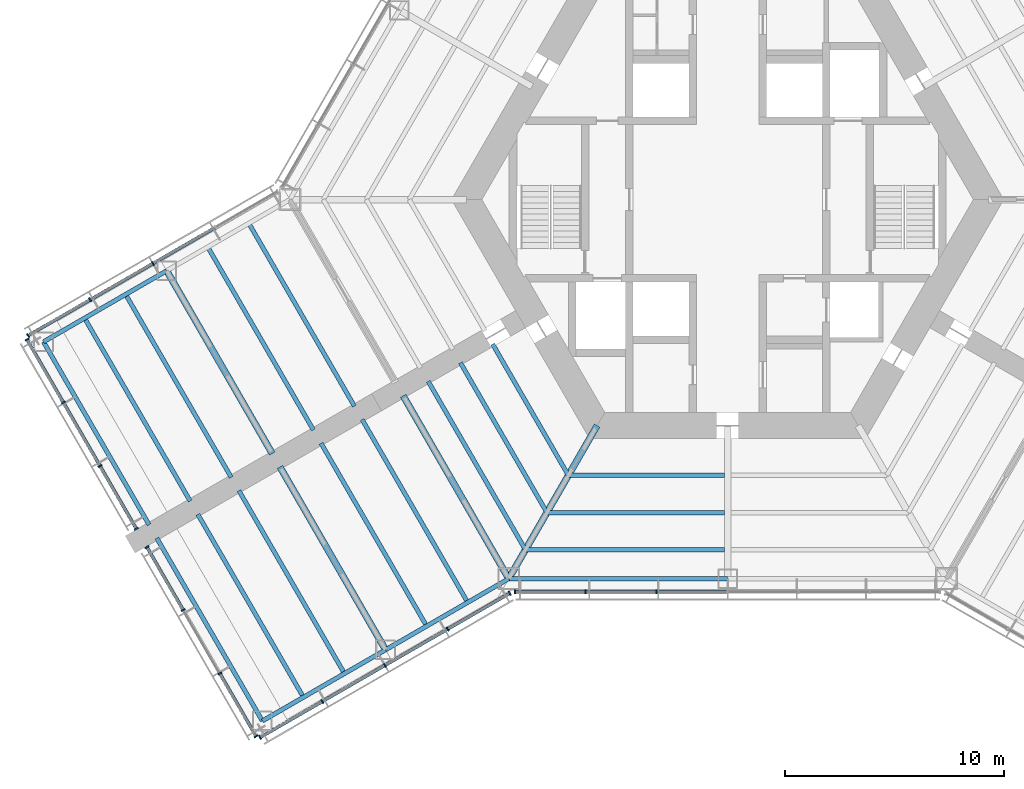
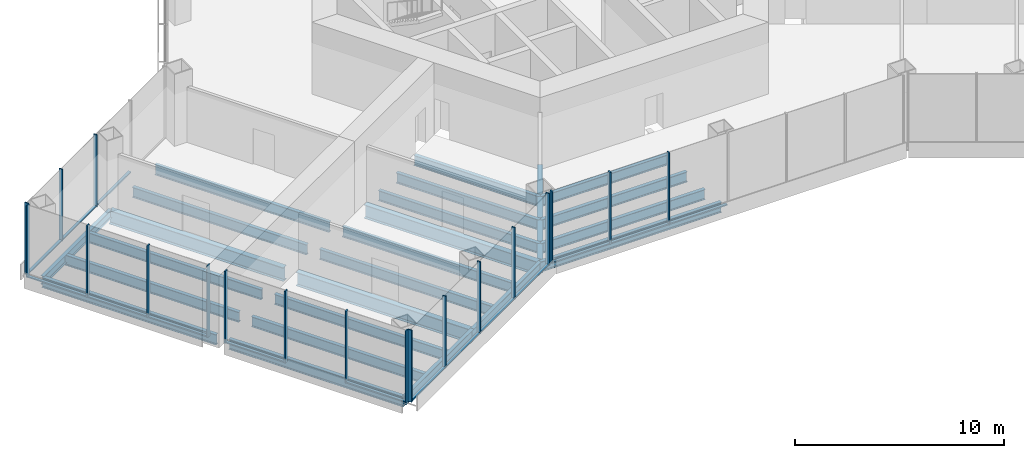
# One storey, part 2 of 15: 34 members, 24 beams, 5 elements without a shape of their own.
"""IFC4 building model written with IfcOpenShell, lengths in metres."""

from ifc_helpers import new_model, si_unit, direction, frame, origin, origin_2d, place, context, subcontext, project, spatial, rectangle, i_section, extrude, material, material_profile, profile_set, type_object, element, aggregate, save


model = new_model("IFC4")

# Units and contexts
model_context = context("Model", 3, precision=1e-05, world=origin(), true_north=direction((0.0, 1.0)))
body_context = subcontext(model_context, "Body", "Model", "MODEL_VIEW")
ifc_project = project(units=[si_unit("LENGTHUNIT", "METRE"), si_unit("AREAUNIT", "SQUARE_METRE"), si_unit("VOLUMEUNIT", "CUBIC_METRE"), si_unit("PLANEANGLEUNIT", "RADIAN"), si_unit("MASSUNIT", "GRAM", prefix="KILO")], contexts=[model_context])

# Site, building, storey
site_placement = place(None, origin())
site = spatial("IfcSite", under=ifc_project, at=site_placement, CompositionType="ELEMENT")
building_placement = place(site_placement, origin())
building = spatial("IfcBuilding", under=site, at=building_placement, Name="Kasaneha Research Tower", CompositionType="ELEMENT")
storey_placement = place(building_placement, frame((0.0, 0.0, 31.0)))
storey = spatial("IfcBuildingStorey", under=building, at=storey_placement, Name="L08", CompositionType="ELEMENT", Elevation=31.0)

# Beams
ifc_material_1 = material(Name="Steel SN490B", Category="steel")
ifc_material_profile_1 = material_profile(ifc_material_1, i_section(OverallWidth=0.199951171875, OverallDepth=0.60009765625, WebThickness=0.010986328125, FlangeThickness=0.01708984375, FilletRadius=0.012939453125, at=origin_2d()), Name="H-600x200x11x17")
ifc_profile_set_1 = profile_set([ifc_material_profile_1], Name="Steel SN490B")
beam_type_1 = type_object("IfcBeamType", Name="B1-2 secondary beam H-600x200x11x17", PredefinedType="JOIST", material=ifc_profile_set_1)
beam_1_placement = place(storey_placement, frame((-7.274658203125, -12.60009765625, -0.469970703125), z_axis=(-0.499972710878, 0.866041158593, 0.0), x_axis=(-0.866041158593, -0.499972710878, 0.0)))
element("IfcBeam", 1, at=beam_1_placement, inside=storey, type_object=beam_type_1, Name="Secondary beam RS210R1 L08", PredefinedType="JOIST", context=body_context, shape_type="SweptSolid", body=[
    extrude(i_section(OverallWidth=0.199951171875, OverallDepth=0.60009765625, WebThickness=0.010986328125, FlangeThickness=0.01708984375, FilletRadius=0.012939453125, at=origin_2d()), origin(), (0.0, 0.0, 1.0), 6.9248046875),
])
beam_2_placement = place(storey_placement, frame((-8.256103515625, -14.300048828125, -0.469970703125), z_axis=(-0.500004902938, 0.866022573054, 0.0), x_axis=(-0.866022573054, -0.500004902938, 0.0)))
element("IfcBeam", 2, at=beam_2_placement, inside=storey, type_object=beam_type_1, Name="Secondary beam RS210R2 L08", PredefinedType="JOIST", context=body_context, shape_type="SweptSolid", body=[
    extrude(i_section(OverallWidth=0.199951171875, OverallDepth=0.60009765625, WebThickness=0.010986328125, FlangeThickness=0.01708984375, FilletRadius=0.012939453125, at=origin_2d()), origin(), (0.0, 0.0, 1.0), 7.90625),
])
beam_3_placement = place(storey_placement, frame((-9.237548828125, -16.0, -0.469970703125), z_axis=(-0.500009382636, 0.866019986649, 0.0), x_axis=(-0.866019986649, -0.500009382636, 0.0)))
element("IfcBeam", 3, at=beam_3_placement, inside=storey, type_object=beam_type_1, Name="Secondary beam RS210R3 L08", PredefinedType="JOIST", context=body_context, shape_type="SweptSolid", body=[
    extrude(i_section(OverallWidth=0.199951171875, OverallDepth=0.60009765625, WebThickness=0.010986328125, FlangeThickness=0.01708984375, FilletRadius=0.012939453125, at=origin_2d()), origin(), (0.0, 0.0, 1.0), 8.887451171875),
])
beam_4_placement = place(storey_placement, frame((-7.274658203125, -12.60009765625, -0.469970703125), z_axis=(1.0, 0.0, 0.0), x_axis=(0.0, 1.0, 0.0)))
element("IfcBeam", 4, at=beam_4_placement, inside=storey, type_object=beam_type_1, Name="Secondary beam RS270L1 L08", PredefinedType="JOIST", context=body_context, shape_type="SweptSolid", body=[
    extrude(i_section(OverallWidth=0.199951171875, OverallDepth=0.60009765625, WebThickness=0.010986328125, FlangeThickness=0.01708984375, FilletRadius=0.012939453125, at=origin_2d()), origin(), (0.0, 0.0, 1.0), 7.124755859375),
])
beam_5_placement = place(storey_placement, frame((-8.256103515625, -14.300048828125, -0.469970703125), z_axis=(1.0, 0.0, 0.0), x_axis=(0.0, 1.0, 0.0)))
element("IfcBeam", 5, at=beam_5_placement, inside=storey, type_object=beam_type_1, Name="Secondary beam RS270L2 L08", PredefinedType="JOIST", context=body_context, shape_type="SweptSolid", body=[
    extrude(i_section(OverallWidth=0.199951171875, OverallDepth=0.60009765625, WebThickness=0.010986328125, FlangeThickness=0.01708984375, FilletRadius=0.012939453125, at=origin_2d()), origin(), (0.0, 0.0, 1.0), 8.106201171875),
])
beam_6_placement = place(storey_placement, frame((-9.237548828125, -16.0, -0.469970703125), z_axis=(1.0, 0.0, 0.0), x_axis=(0.0, 1.0, 0.0)))
element("IfcBeam", 6, at=beam_6_placement, inside=storey, type_object=beam_type_1, Name="Secondary beam RS270L3 L08", PredefinedType="JOIST", context=body_context, shape_type="SweptSolid", body=[
    extrude(i_section(OverallWidth=0.199951171875, OverallDepth=0.60009765625, WebThickness=0.010986328125, FlangeThickness=0.01708984375, FilletRadius=0.012939453125, at=origin_2d()), origin(), (0.0, 0.0, 1.0), 9.087646484375),
])
ifc_material_2 = material(Name="Steel SN490B", Category="steel")
ifc_material_profile_2 = material_profile(ifc_material_2, i_section(OverallWidth=0.198974609375, OverallDepth=0.595947265625, WebThickness=0.010009765625, FlangeThickness=0.014892578125, FilletRadius=0.012939453125, at=origin_2d()), Name="H-596x199x10x15")
ifc_profile_set_2 = profile_set([ifc_material_profile_2], Name="Steel SN490B")
beam_type_2 = type_object("IfcBeamType", Name="B2-2 secondary beam H-596x199x10x15", PredefinedType="JOIST", material=ifc_profile_set_2)
beam_7_placement = place(storey_placement, frame((-21.87646484375, -1.083251953125, -0.468017578125), z_axis=(0.500013717211, -0.866017484004, 0.0), x_axis=(0.866017484004, 0.500013717211, 0.0)))
element("IfcBeam", 7, at=beam_7_placement, inside=storey, type_object=beam_type_2, Name="Secondary beam WBBP1 L08", PredefinedType="JOIST", context=body_context, shape_type="SweptSolid", body=[
    extrude(i_section(OverallWidth=0.198974609375, OverallDepth=0.595947265625, WebThickness=0.010009765625, FlangeThickness=0.014892578125, FilletRadius=0.012939453125, at=origin_2d()), origin(), (0.0, 0.0, 1.0), 9.650146484375),
])
for number, where, z_axis, x_axis, name in (
    (8, (-23.752685546875, -2.166748046875, -0.468017578125), (0.499994742786, -0.866028439017, 0.0), (0.866028439017, 0.499994742786, 0.0), "Secondary beam WBBP2 L08"),
    (9, (-27.505615234375, -4.333251953125, -0.468017578125), (0.499994742786, -0.866028439017, 0.0), (0.866028439017, 0.499994742786, 0.0), "Secondary beam WBBP3 L08"),
    (10, (-29.3818359375, -5.416748046875, -0.468017578125), (0.499994742786, -0.866028439017, 0.0), (0.866028439017, 0.499994742786, 0.0), "Secondary beam WBBP4 L08"),
    (11, (-11.87646484375, -18.40380859375, -0.468017578125), (-0.499994742786, 0.866028439017, 0.0), (-0.866028439017, -0.499994742786, 0.0), "Secondary beam WBBN1 L08"),
    (12, (-13.752685546875, -19.487060546875, -0.468017578125), (-0.500024672494, 0.866011158645, 0.0), (-0.866011158645, -0.500024672494, 0.0), "Secondary beam WBBN2 L08"),
    (13, (-17.505615234375, -21.65380859375, -0.468017578125), (-0.499994742786, 0.866028439017, 0.0), (-0.866028439017, -0.499994742786, 0.0), "Secondary beam WBBN3 L08"),
    (14, (-19.3818359375, -22.737060546875, -0.468017578125), (-0.500024672494, 0.866011158645, 0.0), (-0.866011158645, -0.500024672494, 0.0), "Secondary beam WBBN4 L08"),
):
    element("IfcBeam", number, at=place(storey_placement, frame(where, z_axis=z_axis, x_axis=x_axis)), inside=storey, type_object=beam_type_2, Name=name, PredefinedType="JOIST", context=body_context, shape_type="SweptSolid", body=[
        extrude(i_section(OverallWidth=0.198974609375, OverallDepth=0.595947265625, WebThickness=0.010009765625, FlangeThickness=0.014892578125, FilletRadius=0.012939453125, at=origin_2d()), origin(), (0.0, 0.0, 1.0), 9.64990234375),
    ])

# Curtain wall, members
ifc_material_3 = material(Name="Glass and aluminium", Category="aluminium")
curtain_wall_type = type_object("IfcCurtainWallType", Name="Dry laboratory curtain wall", PredefinedType="USERDEFINED", material=ifc_material_3)
curtain_wall_1_placement = place(storey_placement, origin())
curtain_wall_1 = element("IfcCurtainWall", 15, at=curtain_wall_1_placement, inside=storey, type_object=curtain_wall_type, Name="CW-L2 L08 run 01a", ObjectType="UNITISED CURTAIN WALL", PredefinedType="USERDEFINED")
ifc_material_4 = material(Name="Aluminium 6063-T6", Category="aluminium")
ifc_material_profile_3 = material_profile(ifc_material_4, rectangle(XDim=0.06494140625, YDim=0.199951171875, at=origin_2d()), Name="CW-L2 mullion 65x200")
ifc_profile_set_3 = profile_set([ifc_material_profile_3], Name="Aluminium 6063-T6")
member_type_1 = type_object("IfcMemberType", Name="CW-L2 mullion", PredefinedType="MULLION", material=ifc_profile_set_3)
member_1_placement = place(storey_placement, frame((-21.36328125, -24.573974609375, 0.0), z_axis=(0.0, 0.0, 1.0), x_axis=(0.866025411464, 0.499999986699, 0.0)))
member_1 = element("IfcMember", 16, at=member_1_placement, type_object=member_type_1, Name="CW-L2 mullion 1", PredefinedType="MULLION", context=body_context, shape_type="SweptSolid", body=[
    extrude(rectangle(XDim=0.06494140625, YDim=0.199951171875, at=origin_2d()), origin(), (0.0, 0.0, 1.0), 4.199951171875),
])
member_2_placement = place(storey_placement, frame((-18.52490234375, -22.935302734375, 0.0), z_axis=(0.0, 0.0, 1.0), x_axis=(0.866025411464, 0.499999986699, 0.0)))
member_2 = element("IfcMember", 17, at=member_2_placement, type_object=member_type_1, Name="CW-L2 mullion 2", PredefinedType="MULLION", context=body_context, shape_type="SweptSolid", body=[
    extrude(rectangle(XDim=0.06494140625, YDim=0.199951171875, at=origin_2d()), origin(), (0.0, 0.0, 1.0), 4.199951171875),
])
member_3_placement = place(storey_placement, frame((-15.65869140625, -21.2802734375, 0.0), z_axis=(0.0, 0.0, 1.0), x_axis=(0.866025411464, 0.499999986699, 0.0)))
member_3 = element("IfcMember", 18, at=member_3_placement, type_object=member_type_1, Name="CW-L2 mullion 3", PredefinedType="MULLION", context=body_context, shape_type="SweptSolid", body=[
    extrude(rectangle(XDim=0.06494140625, YDim=0.199951171875, at=origin_2d()), origin(), (0.0, 0.0, 1.0), 4.199951171875),
])
member_4_placement = place(storey_placement, frame((-12.792236328125, -19.62548828125, 0.0), z_axis=(0.0, 0.0, 1.0), x_axis=(0.866025411464, 0.499999986699, 0.0)))
member_4 = element("IfcMember", 19, at=member_4_placement, type_object=member_type_1, Name="CW-L2 mullion 4", PredefinedType="MULLION", context=body_context, shape_type="SweptSolid", body=[
    extrude(rectangle(XDim=0.06494140625, YDim=0.199951171875, at=origin_2d()), origin(), (0.0, 0.0, 1.0), 4.199951171875),
])
member_5_placement = place(storey_placement, frame((-9.953857421875, -17.98681640625, 0.0), z_axis=(0.0, 0.0, 1.0), x_axis=(0.866025411464, 0.499999986699, 0.0)))
member_5 = element("IfcMember", 20, at=member_5_placement, type_object=member_type_1, Name="CW-L2 mullion 5", PredefinedType="MULLION", context=body_context, shape_type="SweptSolid", body=[
    extrude(rectangle(XDim=0.06494140625, YDim=0.199951171875, at=origin_2d()), origin(), (0.0, 0.0, 1.0), 4.199951171875),
])

curtain_wall_2_placement = place(storey_placement, origin())
curtain_wall_2 = element("IfcCurtainWall", 21, at=curtain_wall_2_placement, inside=storey, type_object=curtain_wall_type, Name="CW-L2 L08 run 02a", ObjectType="UNITISED CURTAIN WALL", PredefinedType="USERDEFINED")
member_6_placement = place(storey_placement, frame((-9.706787109375, -17.92041015625, 0.0), z_axis=(0.0, 0.0, 1.0), x_axis=(1.0, 0.0, 0.0)))
member_6 = element("IfcMember", 22, at=member_6_placement, type_object=member_type_1, Name="CW-L2 mullion 1", PredefinedType="MULLION", context=body_context, shape_type="SweptSolid", body=[
    extrude(rectangle(XDim=0.06494140625, YDim=0.199951171875, at=origin_2d()), origin(), (0.0, 0.0, 1.0), 4.199951171875),
])
member_7_placement = place(storey_placement, frame((-6.492919921875, -17.92041015625, 0.0), z_axis=(0.0, 0.0, 1.0), x_axis=(1.0, 0.0, 0.0)))
member_7 = element("IfcMember", 23, at=member_7_placement, type_object=member_type_1, Name="CW-L2 mullion 2", PredefinedType="MULLION", context=body_context, shape_type="SweptSolid", body=[
    extrude(rectangle(XDim=0.06494140625, YDim=0.199951171875, at=origin_2d()), origin(), (0.0, 0.0, 1.0), 4.199951171875),
])
member_8_placement = place(storey_placement, frame((-3.246337890625, -17.92041015625, 0.0), z_axis=(0.0, 0.0, 1.0), x_axis=(1.0, 0.0, 0.0)))
member_8 = element("IfcMember", 24, at=member_8_placement, type_object=member_type_1, Name="CW-L2 mullion 3", PredefinedType="MULLION", context=body_context, shape_type="SweptSolid", body=[
    extrude(rectangle(XDim=0.06494140625, YDim=0.199951171875, at=origin_2d()), origin(), (0.0, 0.0, 1.0), 4.199951171875),
])

curtain_wall_3_placement = place(storey_placement, origin())
curtain_wall_3 = element("IfcCurtainWall", 25, at=curtain_wall_3_placement, inside=storey, type_object=curtain_wall_type, Name="CW-L2 L08 run 13a", ObjectType="UNITISED CURTAIN WALL", PredefinedType="USERDEFINED")
member_9_placement = place(storey_placement, frame((-26.258544921875, -2.920654296875, 0.0), z_axis=(0.0, 0.0, 1.0), x_axis=(-0.866025411464, -0.499999986699, 0.0)))
member_9 = element("IfcMember", 26, at=member_9_placement, type_object=member_type_1, Name="CW-L2 mullion 3", PredefinedType="MULLION", context=body_context, shape_type="SweptSolid", body=[
    extrude(rectangle(XDim=0.06494140625, YDim=0.199951171875, at=origin_2d()), origin(), (0.0, 0.0, 1.0), 4.199951171875),
])
member_10_placement = place(storey_placement, frame((-29.125, -4.575439453125, 0.0), z_axis=(0.0, 0.0, 1.0), x_axis=(-0.866025411464, -0.499999986699, 0.0)))
member_10 = element("IfcMember", 27, at=member_10_placement, type_object=member_type_1, Name="CW-L2 mullion 4", PredefinedType="MULLION", context=body_context, shape_type="SweptSolid", body=[
    extrude(rectangle(XDim=0.06494140625, YDim=0.199951171875, at=origin_2d()), origin(), (0.0, 0.0, 1.0), 4.199951171875),
])
member_11_placement = place(storey_placement, frame((-31.963134765625, -6.214111328125, 0.0), z_axis=(0.0, 0.0, 1.0), x_axis=(-0.866025411464, -0.499999986699, 0.0)))
member_11 = element("IfcMember", 28, at=member_11_placement, type_object=member_type_1, Name="CW-L2 mullion 5", PredefinedType="MULLION", context=body_context, shape_type="SweptSolid", body=[
    extrude(rectangle(XDim=0.06494140625, YDim=0.199951171875, at=origin_2d()), origin(), (0.0, 0.0, 1.0), 4.199951171875),
])

curtain_wall_4_placement = place(storey_placement, origin())
curtain_wall_4 = element("IfcCurtainWall", 29, at=curtain_wall_4_placement, inside=storey, type_object=curtain_wall_type, Name="CW-L2 L08 run 14a", ObjectType="UNITISED CURTAIN WALL", PredefinedType="USERDEFINED")
member_12_placement = place(storey_placement, frame((-32.01171875, -6.39501953125, 0.0), z_axis=(0.0, 0.0, 1.0), x_axis=(0.500000011442, -0.866025397178, 0.0)))
member_12 = element("IfcMember", 30, at=member_12_placement, type_object=member_type_1, Name="CW-L2 mullion 1", PredefinedType="MULLION", context=body_context, shape_type="SweptSolid", body=[
    extrude(rectangle(XDim=0.06494140625, YDim=0.199951171875, at=origin_2d()), origin(), (0.0, 0.0, 1.0), 4.199951171875),
])
member_13_placement = place(storey_placement, frame((-30.35302734375, -9.26806640625, 0.0), z_axis=(0.0, 0.0, 1.0), x_axis=(0.500000011442, -0.866025397178, 0.0)))
member_13 = element("IfcMember", 31, at=member_13_placement, type_object=member_type_1, Name="CW-L2 mullion 2", PredefinedType="MULLION", context=body_context, shape_type="SweptSolid", body=[
    extrude(rectangle(XDim=0.06494140625, YDim=0.199951171875, at=origin_2d()), origin(), (0.0, 0.0, 1.0), 4.199951171875),
])
member_14_placement = place(storey_placement, frame((-28.677978515625, -12.16943359375, 0.0), z_axis=(0.0, 0.0, 1.0), x_axis=(0.500000011442, -0.866025397178, 0.0)))
member_14 = element("IfcMember", 32, at=member_14_placement, type_object=member_type_1, Name="CW-L2 mullion 3", PredefinedType="MULLION", context=body_context, shape_type="SweptSolid", body=[
    extrude(rectangle(XDim=0.06494140625, YDim=0.199951171875, at=origin_2d()), origin(), (0.0, 0.0, 1.0), 4.199951171875),
])
member_15_placement = place(storey_placement, frame((-27.019287109375, -15.04248046875, 0.0), z_axis=(0.0, 0.0, 1.0), x_axis=(0.500000011442, -0.866025397178, 0.0)))
member_15 = element("IfcMember", 33, at=member_15_placement, type_object=member_type_1, Name="CW-L2 mullion 4", PredefinedType="MULLION", context=body_context, shape_type="SweptSolid", body=[
    extrude(rectangle(XDim=0.06494140625, YDim=0.199951171875, at=origin_2d()), origin(), (0.0, 0.0, 1.0), 4.199951171875),
])

curtain_wall_5_placement = place(storey_placement, origin())
curtain_wall_5 = element("IfcCurtainWall", 34, at=curtain_wall_5_placement, inside=storey, type_object=curtain_wall_type, Name="CW-L2 L08 run 15a", ObjectType="UNITISED CURTAIN WALL", PredefinedType="USERDEFINED")
member_16_placement = place(storey_placement, frame((-26.53662109375, -15.878173828125, 0.0), z_axis=(0.0, 0.0, 1.0), x_axis=(0.500000011442, -0.866025397178, 0.0)))
member_16 = element("IfcMember", 35, at=member_16_placement, type_object=member_type_1, Name="CW-L2 mullion 1", PredefinedType="MULLION", context=body_context, shape_type="SweptSolid", body=[
    extrude(rectangle(XDim=0.06494140625, YDim=0.199951171875, at=origin_2d()), origin(), (0.0, 0.0, 1.0), 4.199951171875),
])
member_17_placement = place(storey_placement, frame((-24.8779296875, -18.751220703125, 0.0), z_axis=(0.0, 0.0, 1.0), x_axis=(0.500000011442, -0.866025397178, 0.0)))
member_17 = element("IfcMember", 36, at=member_17_placement, type_object=member_type_1, Name="CW-L2 mullion 2", PredefinedType="MULLION", context=body_context, shape_type="SweptSolid", body=[
    extrude(rectangle(XDim=0.06494140625, YDim=0.199951171875, at=origin_2d()), origin(), (0.0, 0.0, 1.0), 4.199951171875),
])
member_18_placement = place(storey_placement, frame((-23.202880859375, -21.65234375, 0.0), z_axis=(0.0, 0.0, 1.0), x_axis=(0.500000011442, -0.866025397178, 0.0)))
member_18 = element("IfcMember", 37, at=member_18_placement, type_object=member_type_1, Name="CW-L2 mullion 3", PredefinedType="MULLION", context=body_context, shape_type="SweptSolid", body=[
    extrude(rectangle(XDim=0.06494140625, YDim=0.199951171875, at=origin_2d()), origin(), (0.0, 0.0, 1.0), 4.199951171875),
])
member_19_placement = place(storey_placement, frame((-21.544189453125, -24.525390625, 0.0), z_axis=(0.0, 0.0, 1.0), x_axis=(0.500000011442, -0.866025397178, 0.0)))
member_19 = element("IfcMember", 38, at=member_19_placement, type_object=member_type_1, Name="CW-L2 mullion 4", PredefinedType="MULLION", context=body_context, shape_type="SweptSolid", body=[
    extrude(rectangle(XDim=0.06494140625, YDim=0.199951171875, at=origin_2d()), origin(), (0.0, 0.0, 1.0), 4.199951171875),
])

# Member
ifc_material_5 = material(Name="Aluminium 6063-T6", Category="aluminium")
ifc_material_profile_4 = material_profile(ifc_material_5, rectangle(XDim=0.14990234375, YDim=0.06494140625, at=origin_2d()), Name="CW-L2 transom 150x65")
ifc_profile_set_4 = profile_set([ifc_material_profile_4], Name="Aluminium 6063-T6")
member_type_2 = type_object("IfcMemberType", Name="CW-L2 transom", PredefinedType="USERDEFINED", material=ifc_profile_set_4)
member_20_placement = place(storey_placement, frame((-21.3349609375, -24.5576171875, 0.032470703125), z_axis=(0.86600331843, 0.500038251005, 0.0), x_axis=(-0.500038251005, 0.86600331843, 0.0)))
member_20 = element("IfcMember", 39, at=member_20_placement, type_object=member_type_2, Name="CW-L2 transom 1", ObjectType="TRANSOM", PredefinedType="USERDEFINED", context=body_context, shape_type="SweptSolid", body=[
    extrude(rectangle(XDim=0.14990234375, YDim=0.06494140625, at=origin_2d()), origin(), (0.0, 0.0, 1.0), 3.212158203125),
])

member_21_placement = place(storey_placement, frame((-18.496826171875, -22.9189453125, 0.032470703125), z_axis=(0.866035229914, 0.499982980259, 0.0), x_axis=(-0.499982980259, 0.866035229914, 0.0)))
member_21 = element("IfcMember", 40, at=member_21_placement, type_object=member_type_2, Name="CW-L2 transom 2", ObjectType="TRANSOM", PredefinedType="USERDEFINED", context=body_context, shape_type="SweptSolid", body=[
    extrude(rectangle(XDim=0.14990234375, YDim=0.06494140625, at=origin_2d()), origin(), (0.0, 0.0, 1.0), 3.24462890625),
])

member_22_placement = place(storey_placement, frame((-15.63037109375, -21.26416015625, 0.032470703125), z_axis=(0.866002649306, 0.500039409842, 0.0), x_axis=(-0.500039409842, 0.866002649306, 0.0)))
member_22 = element("IfcMember", 41, at=member_22_placement, type_object=member_type_2, Name="CW-L2 transom 3", ObjectType="TRANSOM", PredefinedType="USERDEFINED", context=body_context, shape_type="SweptSolid", body=[
    extrude(rectangle(XDim=0.14990234375, YDim=0.06494140625, at=origin_2d()), origin(), (0.0, 0.0, 1.0), 3.244873046875),
])

member_23_placement = place(storey_placement, frame((-12.76416015625, -19.609130859375, 0.032470703125), z_axis=(0.866022320763, 0.500005339912, 0.0), x_axis=(-0.500005339912, 0.866022320763, 0.0)))
member_23 = element("IfcMember", 42, at=member_23_placement, type_object=member_type_2, Name="CW-L2 transom 4", ObjectType="TRANSOM", PredefinedType="USERDEFINED", context=body_context, shape_type="SweptSolid", body=[
    extrude(rectangle(XDim=0.14990234375, YDim=0.06494140625, at=origin_2d()), origin(), (0.0, 0.0, 1.0), 3.21240234375),
])

aggregate(curtain_wall_1, [member_1, member_2, member_3, member_4, member_5, member_20, member_21, member_22, member_23])

member_24_placement = place(storey_placement, frame((-9.67431640625, -17.92041015625, 0.032470703125), z_axis=(1.0, 0.0, 0.0), x_axis=(0.0, 1.0, 0.0)))
member_24 = element("IfcMember", 43, at=member_24_placement, type_object=member_type_2, Name="CW-L2 transom 1", ObjectType="TRANSOM", PredefinedType="USERDEFINED", context=body_context, shape_type="SweptSolid", body=[
    extrude(rectangle(XDim=0.14990234375, YDim=0.06494140625, at=origin_2d()), origin(), (0.0, 0.0, 1.0), 3.14892578125),
])

member_25_placement = place(storey_placement, frame((-6.460205078125, -17.92041015625, 0.032470703125), z_axis=(1.0, 0.0, 0.0), x_axis=(0.0, 1.0, 0.0)))
member_25 = element("IfcMember", 44, at=member_25_placement, type_object=member_type_2, Name="CW-L2 transom 2", ObjectType="TRANSOM", PredefinedType="USERDEFINED", context=body_context, shape_type="SweptSolid", body=[
    extrude(rectangle(XDim=0.14990234375, YDim=0.06494140625, at=origin_2d()), origin(), (0.0, 0.0, 1.0), 3.181396484375),
])

member_26_placement = place(storey_placement, frame((-3.2138671875, -17.92041015625, 0.032470703125), z_axis=(1.0, 0.0, 0.0), x_axis=(0.0, 1.0, 0.0)))
member_26 = element("IfcMember", 45, at=member_26_placement, type_object=member_type_2, Name="CW-L2 transom 3", ObjectType="TRANSOM", PredefinedType="USERDEFINED", context=body_context, shape_type="SweptSolid", body=[
    extrude(rectangle(XDim=0.14990234375, YDim=0.06494140625, at=origin_2d()), origin(), (0.0, 0.0, 1.0), 3.181396484375),
])

aggregate(curtain_wall_2, [member_6, member_7, member_8, member_24, member_25, member_26])

member_27_placement = place(storey_placement, frame((-23.42041015625, -1.281982421875, 0.032470703125), z_axis=(-0.866035229914, -0.499982980259, 0.0), x_axis=(0.499982980259, -0.866035229914, 0.0)))
member_27 = element("IfcMember", 46, at=member_27_placement, type_object=member_type_2, Name="CW-L2 transom 2", ObjectType="TRANSOM", PredefinedType="USERDEFINED", context=body_context, shape_type="SweptSolid", body=[
    extrude(rectangle(XDim=0.14990234375, YDim=0.06494140625, at=origin_2d()), origin(), (0.0, 0.0, 1.0), 3.24462890625),
])

member_28_placement = place(storey_placement, frame((-26.28662109375, -2.936767578125, 0.032470703125), z_axis=(-0.866021460221, -0.500006830391, 0.0), x_axis=(0.500006830391, -0.866021460221, 0.0)))
member_28 = element("IfcMember", 47, at=member_28_placement, type_object=member_type_2, Name="CW-L2 transom 3", ObjectType="TRANSOM", PredefinedType="USERDEFINED", context=body_context, shape_type="SweptSolid", body=[
    extrude(rectangle(XDim=0.14990234375, YDim=0.06494140625, at=origin_2d()), origin(), (0.0, 0.0, 1.0), 3.2451171875),
])

member_29_placement = place(storey_placement, frame((-29.153076171875, -4.591796875, 0.032470703125), z_axis=(-0.866022320763, -0.500005339912, 0.0), x_axis=(0.500005339912, -0.866022320763, 0.0)))
member_29 = element("IfcMember", 48, at=member_29_placement, type_object=member_type_2, Name="CW-L2 transom 4", ObjectType="TRANSOM", PredefinedType="USERDEFINED", context=body_context, shape_type="SweptSolid", body=[
    extrude(rectangle(XDim=0.14990234375, YDim=0.06494140625, at=origin_2d()), origin(), (0.0, 0.0, 1.0), 3.21240234375),
])

aggregate(curtain_wall_3, [member_9, member_10, member_11, member_27, member_28, member_29])

member_30_placement = place(storey_placement, frame((-31.995361328125, -6.42333984375, 0.032470703125), z_axis=(0.500006189695, -0.866021830133, 0.0), x_axis=(0.866021830133, 0.500006189695, 0.0)))
member_30 = element("IfcMember", 49, at=member_30_placement, type_object=member_type_2, Name="CW-L2 transom 1", ObjectType="TRANSOM", PredefinedType="USERDEFINED", context=body_context, shape_type="SweptSolid", body=[
    extrude(rectangle(XDim=0.14990234375, YDim=0.06494140625, at=origin_2d()), origin(), (0.0, 0.0, 1.0), 3.25244140625),
])

member_31_placement = place(storey_placement, frame((-30.336669921875, -9.29638671875, 0.032470703125), z_axis=(0.500039835994, -0.866002403241, 0.0), x_axis=(0.866002403241, 0.500039835994, 0.0)))
member_31 = element("IfcMember", 50, at=member_31_placement, type_object=member_type_2, Name="CW-L2 transom 2", ObjectType="TRANSOM", PredefinedType="USERDEFINED", context=body_context, shape_type="SweptSolid", body=[
    extrude(rectangle(XDim=0.14990234375, YDim=0.06494140625, at=origin_2d()), origin(), (0.0, 0.0, 1.0), 3.284912109375),
])

member_32_placement = place(storey_placement, frame((-28.66162109375, -12.197509765625, 0.032470703125), z_axis=(0.500006189695, -0.866021830133, 0.0), x_axis=(0.866021830133, 0.500006189695, 0.0)))
member_32 = element("IfcMember", 51, at=member_32_placement, type_object=member_type_2, Name="CW-L2 transom 3", ObjectType="TRANSOM", PredefinedType="USERDEFINED", context=body_context, shape_type="SweptSolid", body=[
    extrude(rectangle(XDim=0.14990234375, YDim=0.06494140625, at=origin_2d()), origin(), (0.0, 0.0, 1.0), 3.25244140625),
])

aggregate(curtain_wall_4, [member_12, member_13, member_14, member_15, member_30, member_31, member_32])

member_33_placement = place(storey_placement, frame((-26.5205078125, -15.90625, 0.032470703125), z_axis=(0.500006189695, -0.866021830133, 0.0), x_axis=(0.866021830133, 0.500006189695, 0.0)))
member_33 = element("IfcMember", 52, at=member_33_placement, type_object=member_type_2, Name="CW-L2 transom 1", ObjectType="TRANSOM", PredefinedType="USERDEFINED", context=body_context, shape_type="SweptSolid", body=[
    extrude(rectangle(XDim=0.14990234375, YDim=0.06494140625, at=origin_2d()), origin(), (0.0, 0.0, 1.0), 3.25244140625),
])

member_34_placement = place(storey_placement, frame((-23.186767578125, -21.680419921875, 0.032470703125), z_axis=(0.499973687205, -0.866040594951, 0.0), x_axis=(0.866040594951, 0.499973687205, 0.0)))
member_34 = element("IfcMember", 53, at=member_34_placement, type_object=member_type_2, Name="CW-L2 transom 3", ObjectType="TRANSOM", PredefinedType="USERDEFINED", context=body_context, shape_type="SweptSolid", body=[
    extrude(rectangle(XDim=0.14990234375, YDim=0.06494140625, at=origin_2d()), origin(), (0.0, 0.0, 1.0), 3.252685546875),
])

aggregate(curtain_wall_5, [member_16, member_17, member_18, member_19, member_33, member_34])

# Beams
ifc_material_6 = material(Name="Steel SN490B", Category="steel")
ifc_material_profile_5 = material_profile(ifc_material_6, i_section(OverallWidth=0.300048828125, OverallDepth=0.699951171875, WebThickness=0.012939453125, FlangeThickness=0.02392578125, FilletRadius=0.01806640625, at=origin_2d()), Name="H-700x300x13x24")
ifc_profile_set_5 = profile_set([ifc_material_profile_5], Name="Steel SN490B")
beam_type_3 = type_object("IfcBeamType", Name="G1-2 radial girder H-700x300x13x24", PredefinedType="BEAM", material=ifc_profile_set_5)
beam_8_placement = place(storey_placement, frame((-5.961181640625, -10.324951171875, -0.52001953125), z_axis=(-0.49999105496, -0.866030568144, 0.0), x_axis=(0.866030568144, -0.49999105496, 0.0)))
element("IfcBeam", 54, at=beam_8_placement, inside=storey, type_object=beam_type_3, Name="Radial girder RV240 L08", PredefinedType="BEAM", context=body_context, shape_type="SweptSolid", body=[
    extrude(i_section(OverallWidth=0.300048828125, OverallDepth=0.699951171875, WebThickness=0.012939453125, FlangeThickness=0.02392578125, FilletRadius=0.01806640625, at=origin_2d()), origin(), (0.0, 0.0, 1.0), 8.077880859375),
])
ifc_material_7 = material(Name="Steel SN490B", Category="steel")
ifc_material_profile_6 = material_profile(ifc_material_7, i_section(OverallWidth=0.300048828125, OverallDepth=0.7919921875, WebThickness=0.013916015625, FlangeThickness=0.02197265625, FilletRadius=0.01806640625, at=origin_2d()), Name="H-792x300x14x22")
ifc_profile_set_6 = profile_set([ifc_material_profile_6], Name="Steel SN490B")
beam_type_4 = type_object("IfcBeamType", Name="G3-2 plate edge girder H-792x300x14x22", PredefinedType="BEAM", material=ifc_profile_set_6)
beam_9_placement = place(storey_placement, frame((-10.0, -17.320556640625, -0.56591796875), z_axis=(-0.499994742786, 0.866028439017, 0.0), x_axis=(-0.866028439017, -0.499994742786, 0.0)))
element("IfcBeam", 55, at=beam_9_placement, inside=storey, type_object=beam_type_4, Name="Plate edge girder PEBN L08", PredefinedType="BEAM", context=body_context, shape_type="SweptSolid", body=[
    extrude(i_section(OverallWidth=0.300048828125, OverallDepth=0.7919921875, WebThickness=0.013916015625, FlangeThickness=0.02197265625, FilletRadius=0.01806640625, at=origin_2d()), origin(), (0.0, 0.0, 1.0), 9.64990234375),
])
ifc_material_8 = material(Name="Steel SN490B", Category="steel")
ifc_material_profile_7 = material_profile(ifc_material_8, i_section(OverallWidth=0.300048828125, OverallDepth=0.800048828125, WebThickness=0.013916015625, FlangeThickness=0.02587890625, FilletRadius=0.01806640625, at=origin_2d()), Name="H-800x300x14x26")
ifc_profile_set_7 = profile_set([ifc_material_profile_7], Name="Steel SN490B")
beam_type_5 = type_object("IfcBeamType", Name="G4-2 wing girder H-800x300x14x26", PredefinedType="BEAM", material=ifc_profile_set_7)
for number, where, z_axis, x_axis, name in (
    (56, (-25.629150390625, -3.25, -0.570068359375), (0.499994742786, -0.866028439017, 0.0), (0.866028439017, 0.499994742786, 0.0), "Wing girder WGBP L08"),
    (57, (-15.629150390625, -20.570556640625, -0.570068359375), (-0.499994742786, 0.866028439017, 0.0), (-0.866028439017, -0.499994742786, 0.0), "Wing girder WGBN L08"),
):
    element("IfcBeam", number, at=place(storey_placement, frame(where, z_axis=z_axis, x_axis=x_axis)), inside=storey, type_object=beam_type_5, Name=name, PredefinedType="BEAM", context=body_context, shape_type="SweptSolid", body=[
        extrude(i_section(OverallWidth=0.300048828125, OverallDepth=0.800048828125, WebThickness=0.013916015625, FlangeThickness=0.02587890625, FilletRadius=0.01806640625, at=origin_2d()), origin(), (0.0, 0.0, 1.0), 9.64990234375),
    ])
ifc_material_9 = material(Name="Steel SN490B", Category="steel")
ifc_material_profile_8 = material_profile(ifc_material_9, i_section(OverallWidth=0.199951171875, OverallDepth=0.60009765625, WebThickness=0.010986328125, FlangeThickness=0.01708984375, FilletRadius=0.012939453125, at=origin_2d()), Name="H-600x200x11x17")
ifc_profile_set_8 = profile_set([ifc_material_profile_8], Name="Steel SN490B")
beam_type_6 = type_object("IfcBeamType", Name="SB1-2 spandrel beam H-600x200x11x17", PredefinedType="SPANDREL", material=ifc_profile_set_8)
beam_10_placement = place(storey_placement, frame((-10.0, -17.320556640625, -0.469970703125), z_axis=(1.0, 0.0, 0.0), x_axis=(0.0, 1.0, 0.0)))
element("IfcBeam", 58, at=beam_10_placement, inside=storey, type_object=beam_type_6, Name="Spandrel beam SR270L L08", PredefinedType="SPANDREL", context=body_context, shape_type="SweptSolid", body=[
    extrude(i_section(OverallWidth=0.199951171875, OverallDepth=0.60009765625, WebThickness=0.010986328125, FlangeThickness=0.01708984375, FilletRadius=0.012939453125, at=origin_2d()), origin(), (0.0, 0.0, 1.0), 10.0),
])
ifc_material_10 = material(Name="Steel SN490B", Category="steel")
ifc_material_profile_9 = material_profile(ifc_material_10, i_section(OverallWidth=0.199951171875, OverallDepth=0.5, WebThickness=0.010009765625, FlangeThickness=0.01611328125, FilletRadius=0.012939453125, at=origin_2d()), Name="H-500x200x10x16")
ifc_profile_set_9 = profile_set([ifc_material_profile_9], Name="Steel SN490B")
beam_type_7 = type_object("IfcBeamType", Name="SB2-2 spandrel beam H-500x200x10x16", PredefinedType="SPANDREL", material=ifc_profile_set_9)
for number, where, z_axis, x_axis, name in (
    (59, (-25.629150390625, -3.25, -0.419921875), (-0.866024837091, -0.50000098154, 0.0), (0.50000098154, -0.866024837091, 0.0), "Spandrel beam WSBP2 L08"),
    (60, (-10.0, -17.320556640625, -0.419921875), (-0.866024837091, -0.50000098154, 0.0), (0.50000098154, -0.866024837091, 0.0), "Spandrel beam WSBN1 L08"),
    (61, (-15.629150390625, -20.570556640625, -0.419921875), (-0.866024837091, -0.50000098154, 0.0), (0.50000098154, -0.866024837091, 0.0), "Spandrel beam WSBN2 L08"),
):
    element("IfcBeam", number, at=place(storey_placement, frame(where, z_axis=z_axis, x_axis=x_axis)), inside=storey, type_object=beam_type_7, Name=name, PredefinedType="SPANDREL", context=body_context, shape_type="SweptSolid", body=[
        extrude(i_section(OverallWidth=0.199951171875, OverallDepth=0.5, WebThickness=0.010009765625, FlangeThickness=0.01611328125, FilletRadius=0.012939453125, at=origin_2d()), origin(), (0.0, 0.0, 1.0), 6.5),
    ])
ifc_material_11 = material(Name="Steel SN490B", Category="steel")
ifc_material_profile_10 = material_profile(ifc_material_11, i_section(OverallWidth=0.199951171875, OverallDepth=0.60009765625, WebThickness=0.010986328125, FlangeThickness=0.01708984375, FilletRadius=0.012939453125, at=origin_2d()), Name="H-600x200x11x17")
ifc_profile_set_10 = profile_set([ifc_material_profile_10], Name="Steel SN490B")
beam_type_8 = type_object("IfcBeamType", Name="SB3-2 spandrel beam H-600x200x11x17", PredefinedType="SPANDREL", material=ifc_profile_set_10)
for number, where, z_axis, x_axis, name in (
    (62, (-31.25830078125, -6.5, -0.469970703125), (0.499994742786, -0.866028439017, 0.0), (0.866028439017, 0.499994742786, 0.0), "Spandrel beam WTBP L08"),
    (63, (-21.25830078125, -23.820556640625, -0.469970703125), (-0.499994742786, 0.866028439017, 0.0), (-0.866028439017, -0.499994742786, 0.0), "Spandrel beam WTBN L08"),
):
    element("IfcBeam", number, at=place(storey_placement, frame(where, z_axis=z_axis, x_axis=x_axis)), inside=storey, type_object=beam_type_8, Name=name, PredefinedType="SPANDREL", context=body_context, shape_type="SweptSolid", body=[
        extrude(i_section(OverallWidth=0.199951171875, OverallDepth=0.60009765625, WebThickness=0.010986328125, FlangeThickness=0.01708984375, FilletRadius=0.012939453125, at=origin_2d()), origin(), (0.0, 0.0, 1.0), 9.64990234375),
    ])

save(model, "model.ifc")
